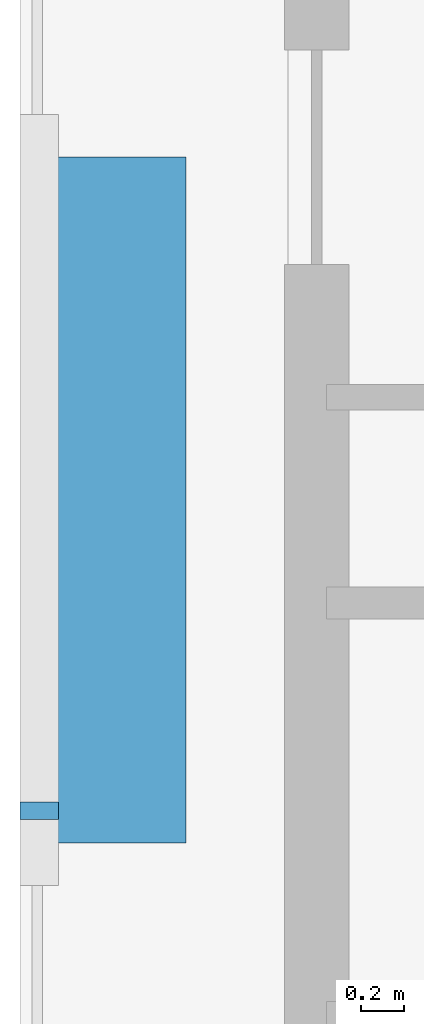
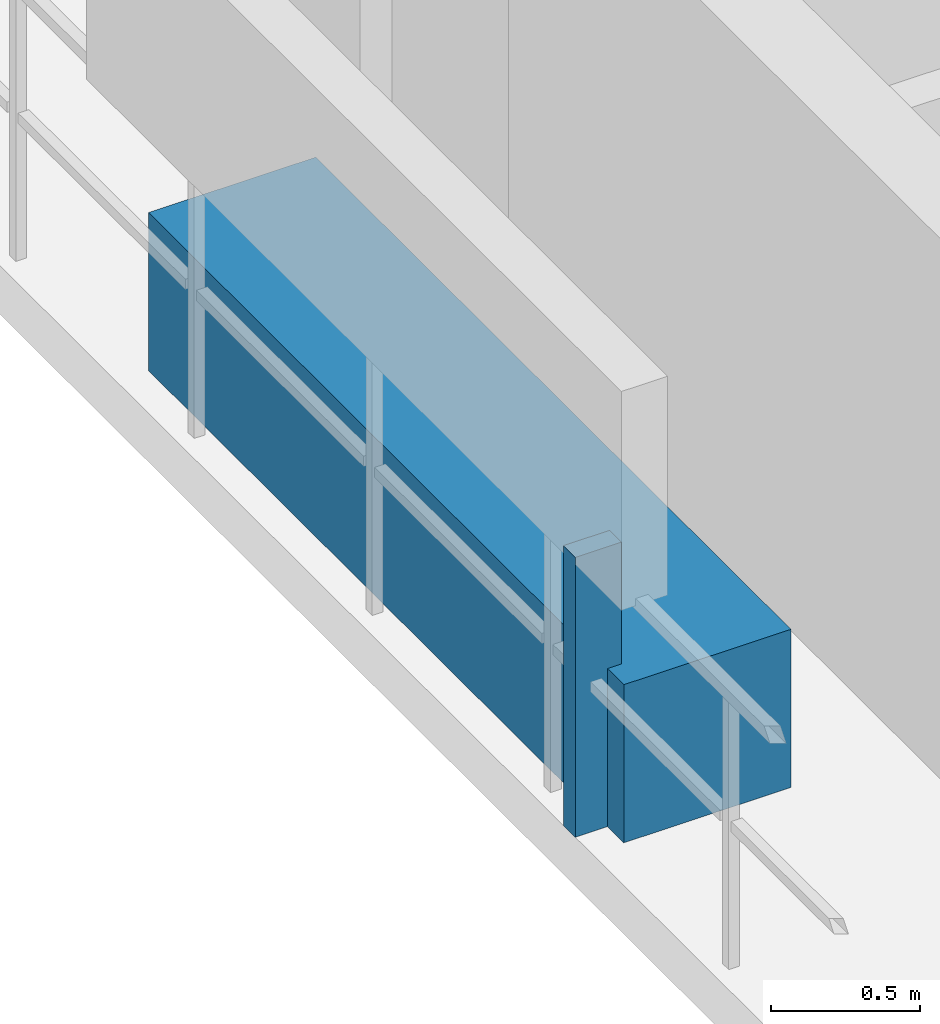
# One storey, part 30 of 35: 2 discrete accessories.
"""IFC4 building model written with IfcOpenShell, lengths in metres."""

import ifcopenshell
import ifcopenshell.guid

model = None  # the IFC model being written
_history = None  # IfcOwnerHistory: only IFC2X3 demands one
_inside = {}  # id of a spatial element -> (the spatial element, [elements in it])
_under = {}  # id of a project, library or spatial element -> (it, [spatial elements below it])
_declared = {}  # id of a project -> (the project, [libraries it declares])
_typed = {}  # id of a type object -> (the type object, [elements of that type])
_made_of = {}  # id of a material, layer set ... -> (it, [elements and type objects made of it])


def new_model(schema):
    """Start an empty IFC model of exactly this schema.

    Asked for "IFC4X3", IfcOpenShell would pick the latest addendum, in which some entities
    have other attributes; the version numbers below select the first issue.
    IFC2X3 requires an IfcOwnerHistory on every rooted entity: one is made here for all.
    """
    global model, _history
    if schema == "IFC4X3":
        model = ifcopenshell.file(schema_version=(4, 3, 0, 0))
    else:
        model = ifcopenshell.file(schema=schema)
    _inside.clear()
    _under.clear()
    _declared.clear()
    _typed.clear()
    _made_of.clear()
    _history = None
    if model.schema == "IFC2X3":
        org = make("IfcOrganization", Name="unknown")
        user = make(
            "IfcPersonAndOrganization",
            ThePerson=make("IfcPerson", FamilyName="unknown"),
            TheOrganization=org,
        )
        app = make(
            "IfcApplication",
            ApplicationDeveloper=org,
            Version="unknown",
            ApplicationFullName="unknown",
            ApplicationIdentifier="unknown",
        )
        _history = make(
            "IfcOwnerHistory",
            OwningUser=user,
            OwningApplication=app,
            ChangeAction="ADDED",
            CreationDate=0,
        )
    return model


def make(cls, **values):
    """One entity of the class cls with the attributes given. An attribute that is None is left unset."""
    return model.create_entity(
        cls, **{name: value for name, value in values.items() if value is not None}
    )


def rooted(cls, **values):
    """An entity with a GlobalId (a new one), such as an element, a storey or a relation."""
    return make(cls, GlobalId=ifcopenshell.guid.new(), OwnerHistory=_history, **values)


def si_unit(unit_type, name, prefix=None):
    """IfcSIUnit, for example si_unit("LENGTHUNIT", "METRE", prefix="MILLI")."""
    return make("IfcSIUnit", UnitType=unit_type, Prefix=prefix, Name=name)


def assignment(units):
    """IfcUnitAssignment: the units of a project."""
    return None if units is None else make("IfcUnitAssignment", Units=units)


def point(xyz):
    """IfcCartesianPoint."""
    return None if xyz is None else make("IfcCartesianPoint", Coordinates=xyz)


def direction(xyz):
    """IfcDirection."""
    return None if xyz is None else make("IfcDirection", DirectionRatios=xyz)


def frame(location, z_axis=None, x_axis=None):
    """IfcAxis2Placement3D, a coordinate frame: its origin and axes. An axis left out is left unset."""
    return make(
        "IfcAxis2Placement3D",
        Location=point(location),
        Axis=direction(z_axis),
        RefDirection=direction(x_axis),
    )


def frame_2d(location, x_axis=None):
    """IfcAxis2Placement2D, a coordinate frame in the plane: its origin and x axis."""
    return make(
        "IfcAxis2Placement2D", Location=point(location), RefDirection=direction(x_axis)
    )


def origin():
    """The frame at (0, 0, 0) with its axes left unset."""
    return frame((0.0, 0.0, 0.0))


def origin_2d():
    """The frame at (0, 0) in the plane with its x axis left unset."""
    return frame_2d((0.0, 0.0))


def place(relative_to, where):
    """IfcLocalPlacement: puts the frame where relative to a parent placement (None: the world)."""
    return make(
        "IfcLocalPlacement", PlacementRelTo=relative_to, RelativePlacement=where
    )


def context(
    kind, dimensions, precision=None, world=None, true_north=None, identifier=None
):
    """IfcGeometricRepresentationContext, for example the 3D "Model" context."""
    return make(
        "IfcGeometricRepresentationContext",
        ContextIdentifier=identifier,
        ContextType=kind,
        CoordinateSpaceDimension=dimensions,
        Precision=precision,
        WorldCoordinateSystem=world,
        TrueNorth=true_north,
    )


def subcontext(parent, identifier, kind, view, scale=None):
    """IfcGeometricRepresentationSubContext, for example "Body" below "Model"."""
    return make(
        "IfcGeometricRepresentationSubContext",
        ContextIdentifier=identifier,
        ContextType=kind,
        ParentContext=parent,
        TargetScale=scale,
        TargetView=view,
    )


def project(units=None, contexts=None):
    """IfcProject with its units and contexts."""
    return rooted(
        "IfcProject",
        Name="project",
        RepresentationContexts=contexts,
        UnitsInContext=assignment(units),
    )


def spatial(cls, under=None, at=None, **own):
    """A site, building, storey or space (cls), placed at a placement, below another one or the project."""
    s = rooted(cls, ObjectPlacement=at, **own)
    if under is not None:
        _under.setdefault(under.id(), (under, []))[1].append(s)
    return s


def profile(cls, at=None, kind="AREA", **sizes):
    """A parametric profile (cls). Its sizes go by their IFC names, for example OverallWidth=200.0."""
    return make(cls, ProfileType=kind, Position=at, **sizes)


def rectangle(**sizes):
    """IfcRectangleProfileDef."""
    return profile("IfcRectangleProfileDef", **sizes)


def extrude(swept, where, along, depth):
    """IfcExtrudedAreaSolid: the profile swept, set in the frame where, extruded along a direction by depth."""
    return make(
        "IfcExtrudedAreaSolid",
        SweptArea=swept,
        Position=where,
        ExtrudedDirection=direction(along),
        Depth=depth,
    )


def shape(context_of_items, identifier, shape_type, items):
    """IfcShapeRepresentation: the items that make up one representation, for example the "Body"."""
    return make(
        "IfcShapeRepresentation",
        ContextOfItems=context_of_items,
        RepresentationIdentifier=identifier,
        RepresentationType=shape_type,
        Items=items,
    )


def material(Name=None, Category=None):
    """IfcMaterial."""
    return make("IfcMaterial", Name=Name, Category=Category)


def made_of(thing, what):
    """Note that an element or type object is made of a material, layer set ...; save() writes the relation."""
    if what is not None:
        _made_of.setdefault(what.id(), (what, []))[1].append(thing)
    return thing


def type_object(cls, material=None, **own):
    """A type object (cls), such as IfcWallType, which elements share."""
    return made_of(rooted(cls, **own), material)


def element(
    cls,
    number,
    at=None,
    inside=None,
    cuts=None,
    type_object=None,
    material=None,
    context=None,
    identifier="Body",
    shape_type=None,
    held_by="IfcProductDefinitionShape",
    body=None,
    shapes=None,
    **own,
):
    """One element of the class cls, such as IfcWall. Its Tag is "e" and its number.

    at: its placement. inside: the storey or other place that contains it. cuts: it is an
    opening in that element (IfcRelVoidsElement). A single representation is given by context,
    identifier, shape_type and body (its items); several are given by shapes. held_by: the class
    of the entity that holds the representations. save() writes the other relations.
    """
    e = rooted(cls, Tag="e%d" % number, ObjectPlacement=at, **own)
    if body is not None:
        shapes = [shape(context, identifier, shape_type, body)]
    if shapes is not None:
        e.Representation = make(held_by, Representations=shapes)
    if inside is not None:
        _inside.setdefault(inside.id(), (inside, []))[1].append(e)
    if cuts is not None:
        rooted(
            "IfcRelVoidsElement", RelatingBuildingElement=cuts, RelatedOpeningElement=e
        )
    if type_object is not None:
        _typed.setdefault(type_object.id(), (type_object, []))[1].append(e)
    return made_of(e, material)


def aggregate(whole, parts):
    """IfcRelAggregates: a whole, such as a stair, and the parts it consists of."""
    return rooted("IfcRelAggregates", RelatingObject=whole, RelatedObjects=parts)


def save(model, path):
    """Write the relations noted so far, then the file.

    IfcRelAggregates (storeys below a building ...), IfcRelContainedInSpatialStructure (elements
    in a storey), IfcRelDefinesByType, IfcRelAssociatesMaterial and IfcRelDeclares: one each for
    every whole, place, type object, material and project.
    """
    for whole, parts in _under.values():
        aggregate(whole, parts)
    for where, things in _inside.values():
        rooted(
            "IfcRelContainedInSpatialStructure",
            RelatedElements=things,
            RelatingStructure=where,
        )
    for kind, things in _typed.values():
        rooted("IfcRelDefinesByType", RelatedObjects=things, RelatingType=kind)
    for what, things in _made_of.values():
        rooted("IfcRelAssociatesMaterial", RelatedObjects=things, RelatingMaterial=what)
    for by, libraries in _declared.values():
        rooted("IfcRelDeclares", RelatingContext=by, RelatedDefinitions=libraries)
    model.write(path)


model = new_model("IFC4")

# Units and contexts
model_context = context("Model", 3, precision=1e-05, world=origin(), true_north=direction((0.0, 1.0)))
body_context = subcontext(model_context, "Body", "Model", "MODEL_VIEW")
ifc_project = project(units=[si_unit("LENGTHUNIT", "METRE"), si_unit("AREAUNIT", "SQUARE_METRE"), si_unit("VOLUMEUNIT", "CUBIC_METRE"), si_unit("PLANEANGLEUNIT", "RADIAN"), si_unit("MASSUNIT", "GRAM", prefix="KILO")], contexts=[model_context])

# Site, building, storey
site_placement = place(None, origin())
site = spatial("IfcSite", under=ifc_project, at=site_placement, CompositionType="ELEMENT")
building_placement = place(site_placement, origin())
building = spatial("IfcBuilding", under=site, at=building_placement, Name="Thornwick Lancets Civic Towers", CompositionType="ELEMENT")
storey_placement = place(building_placement, frame((0.0, 0.0, 225.89990234375)))
storey = spatial("IfcBuildingStorey", under=building, at=storey_placement, Name="L60", CompositionType="ELEMENT", Elevation=225.89990234375)

# Discrete accessories
ifc_material_1 = material(Name="Planted terracotta greenery planter", Category="masonry")
discrete_accessory_type_1 = type_object("IfcDiscreteAccessoryType", Name="ACC_PLANTER_BOX", PredefinedType="USERDEFINED", material=ifc_material_1)
discrete_accessory_1_placement = place(storey_placement, frame((0.800048828125, 27.0, 0.000244140625), z_axis=(0.0, 0.0, 1.0), x_axis=(1.0, 0.0, 0.0)))
element("IfcDiscreteAccessory", 1, at=discrete_accessory_1_placement, inside=storey, type_object=discrete_accessory_type_1, Name="L60 Tower A Balcony Greenery Planter W", ObjectType="PLANTER", PredefinedType="USERDEFINED", context=body_context, shape_type="SweptSolid", body=[
    extrude(rectangle(XDim=0.64990234375, YDim=3.199951171875, at=origin_2d()), origin(), (0.0, 0.0, 1.0), 0.64990234375),
])
ifc_material_2 = material(Name="Stainless steel S355", Category="steel")
discrete_accessory_type_2 = type_object("IfcDiscreteAccessoryType", Name="ACC_SCREEN_BRACKET", PredefinedType="BRACKET", material=ifc_material_2)
discrete_accessory_2_placement = place(storey_placement, frame((0.43994140625, 25.550048828125, 0.000244140625), z_axis=(0.0, 0.0, 1.0), x_axis=(0.0, 1.0, 0.0)))
element("IfcDiscreteAccessory", 2, at=discrete_accessory_2_placement, inside=storey, type_object=discrete_accessory_type_2, Name="L60 Tower A Balcony Screen Stanchion Bracket W-1", PredefinedType="BRACKET", context=body_context, shape_type="SweptSolid", body=[
    extrude(rectangle(XDim=0.080078125, YDim=0.179931640625, at=origin_2d()), origin(), (0.0, 0.0, 1.0), 1.14990234375),
])

save(model, "model.ifc")
